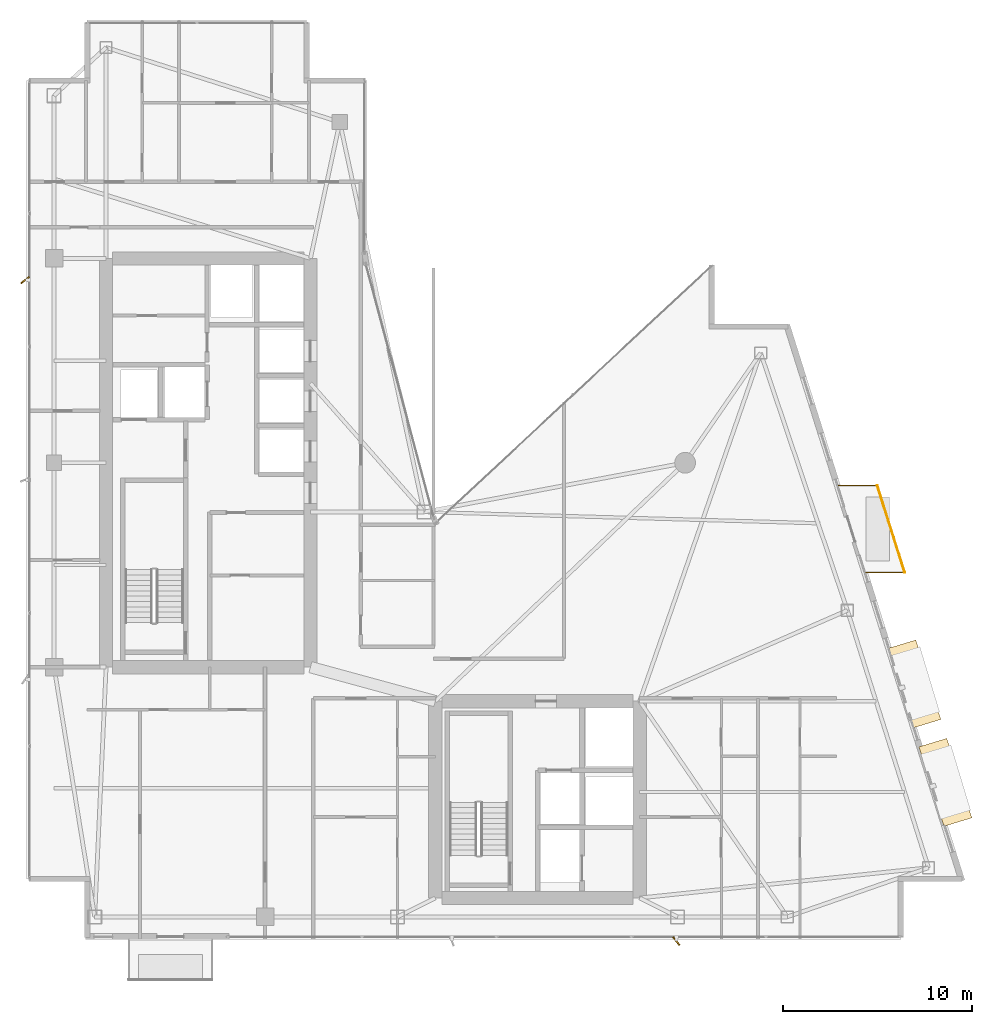
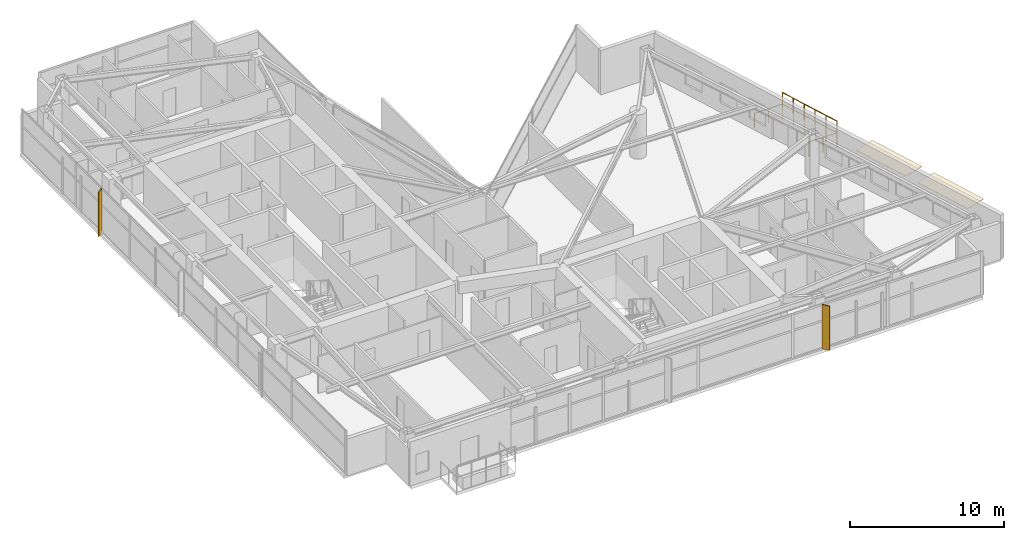
# One storey, part 27 of 27: 2 coverings, 2 railings, 2 shading devices.
"""IFC4 building model written with IfcOpenShell, lengths in metres."""

from ifc_helpers import new_model, si_unit, direction, frame, origin, origin_2d, place, context, subcontext, project, spatial, polyline, rectangle, circle, outline, extrude, material, layer, layer_set, type_object, element, save


model = new_model("IFC4")

# Units and contexts
model_context = context("Model", 3, precision=1e-05, world=origin(), true_north=direction((0.0, 1.0)))
body_context = subcontext(model_context, "Body", "Model", "MODEL_VIEW")
ifc_project = project(units=[si_unit("LENGTHUNIT", "METRE"), si_unit("AREAUNIT", "SQUARE_METRE"), si_unit("VOLUMEUNIT", "CUBIC_METRE"), si_unit("PLANEANGLEUNIT", "RADIAN"), si_unit("MASSUNIT", "GRAM", prefix="KILO")], contexts=[model_context])

# Site, building, storey
site_placement = place(None, origin())
site = spatial("IfcSite", under=ifc_project, at=site_placement, CompositionType="ELEMENT")
building_placement = place(site_placement, origin())
building = spatial("IfcBuilding", under=site, at=building_placement, Name="Calvorn Quay Hotel", CompositionType="ELEMENT")
storey_placement = place(building_placement, frame((0.0, 0.0, 230.699951171875)))
storey = spatial("IfcBuildingStorey", under=building, at=storey_placement, Name="L57", CompositionType="ELEMENT", Elevation=230.699951171875)

# Coverings
ifc_material_1 = material(Name="Pale Anodised Aluminium Rainscreen Cladding", Category="aluminium")
ifc_layer = layer(ifc_material_1, 0.044921875)
ifc_layer_set = layer_set([ifc_layer], Name="COV-CROWN-CLAD")
covering_type = type_object("IfcCoveringType", Name="COV-CROWN-CLAD", PredefinedType="CLADDING", material=ifc_layer_set)
covering_1_placement = place(storey_placement, frame((0.0, 0.0, 2.505126953125)))
element("IfcCovering", 1, at=covering_1_placement, inside=storey, type_object=covering_type, Name="Angled Bay Hood Canopy L57-HOOD-1", PredefinedType="CLADDING", context=body_context, shape_type="SweptSolid", body=[
    extrude(outline(polyline([(47.156982421875, 12.587890625), (48.6298828125, 13.034912109375), (49.952880859375, 8.8349609375), (48.47998046875, 8.387939453125), (47.156982421875, 12.587890625)])), origin(), (0.0, 0.0, 1.0), 0.044921875),
])
covering_2_placement = place(storey_placement, frame((0.0, 0.0, 2.505126953125)))
element("IfcCovering", 2, at=covering_2_placement, inside=storey, type_object=covering_type, Name="Angled Bay Hood Canopy L57-HOOD-2", PredefinedType="CLADDING", context=body_context, shape_type="SweptSolid", body=[
    extrude(outline(polyline([(45.51806640625, 17.7880859375), (46.990966796875, 18.235107421875), (48.31396484375, 14.034912109375), (46.841064453125, 13.587890625), (45.51806640625, 17.7880859375)])), origin(), (0.0, 0.0, 1.0), 0.044921875),
])

# Railings
ifc_material_2 = material(Name="Pale Anodised Aluminium and Laminated Glass", Category="aluminium")
railing_type = type_object("IfcRailingType", Name="RLG-BALUSTRADE-1200", PredefinedType="BALUSTRADE", material=ifc_material_2)
railing_1_placement = place(storey_placement, frame((44.305908203125, 21.800048828125, 0.0)))
element("IfcRailing", 3, at=railing_1_placement, inside=storey, type_object=railing_type, Name="Tree Balcony Perimeter Balustrade L57-BALC-E", PredefinedType="BALUSTRADE", context=body_context, shape_type="SweptSolid", body=[
    extrude(circle(Radius=0.02392578125, at=origin_2d()), frame((0.0, 0.0, 1.17578125), z_axis=(1.0, 0.0, 0.0), x_axis=(0.0, 1.0, 0.0)), (0.0, 0.0, 1.0), 2.10009765625),
    extrude(circle(Radius=0.02392578125, at=origin_2d()), frame((2.10009765625, 0.0, 1.17578125), z_axis=(-0.300450487966, 0.953797412599, 0.0), x_axis=(-0.953797412599, -0.300450487966, 0.0)), (0.0, 0.0, 1.0), 4.82275390625),
    extrude(circle(Radius=0.02392578125, at=origin_2d()), frame((0.651123046875, 4.599853515625, 1.17578125), z_axis=(-1.0, 0.0, 0.0), x_axis=(0.0, -1.0, 0.0)), (0.0, 0.0, 1.0), 2.10009765625),
    extrude(circle(Radius=0.02099609375, at=origin_2d()), origin(), (0.0, 0.0, 1.0), 1.15185546875),
    extrude(circle(Radius=0.02099609375, at=origin_2d()), frame((1.050048828125, 0.0, 0.0)), (0.0, 0.0, 1.0), 1.15185546875),
    extrude(circle(Radius=0.02099609375, at=origin_2d()), frame((2.10009765625, 0.0, 0.0)), (0.0, 0.0, 1.0), 1.15185546875),
    extrude(circle(Radius=0.02099609375, at=origin_2d()), frame((1.810302734375, 0.919921875, 0.0)), (0.0, 0.0, 1.0), 1.15185546875),
    extrude(circle(Radius=0.02099609375, at=origin_2d()), frame((1.5205078125, 1.83984375, 0.0)), (0.0, 0.0, 1.0), 1.15185546875),
    extrude(circle(Radius=0.02099609375, at=origin_2d()), frame((1.230712890625, 2.760009765625, 0.0)), (0.0, 0.0, 1.0), 1.15185546875),
    extrude(circle(Radius=0.02099609375, at=origin_2d()), frame((0.94091796875, 3.679931640625, 0.0)), (0.0, 0.0, 1.0), 1.15185546875),
    extrude(circle(Radius=0.02099609375, at=origin_2d()), frame((0.651123046875, 4.599853515625, 0.0)), (0.0, 0.0, 1.0), 1.15185546875),
    extrude(circle(Radius=0.02099609375, at=origin_2d()), frame((-0.39892578125, 4.599853515625, 0.0)), (0.0, 0.0, 1.0), 1.15185546875),
    extrude(circle(Radius=0.02099609375, at=origin_2d()), frame((-1.448974609375, 4.599853515625, 0.0)), (0.0, 0.0, 1.0), 1.15185546875),
])
railing_2_placement = place(storey_placement, frame((46.406005859375, 21.800048828125, 0.900146484375)))
element("IfcRailing", 4, at=railing_2_placement, inside=storey, type_object=railing_type, Name="Planter Kerb High Safety Screen L57-BALC-E", PredefinedType="BALUSTRADE", context=body_context, shape_type="SweptSolid", body=[
    extrude(circle(Radius=0.02392578125, at=origin_2d()), frame((0.0, 0.0, 1.19580078125), z_axis=(-0.300450487966, 0.953797412599, 0.0), x_axis=(-0.953797412599, -0.300450487966, 0.0)), (0.0, 0.0, 1.0), 4.82275390625),
    extrude(circle(Radius=0.02099609375, at=origin_2d()), origin(), (0.0, 0.0, 1.0), 1.171875),
    extrude(circle(Radius=0.02099609375, at=origin_2d()), frame((-0.289794921875, 0.919921875, 0.0)), (0.0, 0.0, 1.0), 1.171875),
    extrude(circle(Radius=0.02099609375, at=origin_2d()), frame((-0.57958984375, 1.83984375, 0.0)), (0.0, 0.0, 1.0), 1.171875),
    extrude(circle(Radius=0.02099609375, at=origin_2d()), frame((-0.869384765625, 2.760009765625, 0.0)), (0.0, 0.0, 1.0), 1.171875),
    extrude(circle(Radius=0.02099609375, at=origin_2d()), frame((-1.1591796875, 3.679931640625, 0.0)), (0.0, 0.0, 1.0), 1.171875),
    extrude(circle(Radius=0.02099609375, at=origin_2d()), frame((-1.448974609375, 4.599853515625, 0.0)), (0.0, 0.0, 1.0), 1.171875),
])

# Shading devices
ifc_material_3 = material(Name="Champagne Bronze Anodised Aluminium 6063-T6", Category="aluminium")
shading_device_type = type_object("IfcShadingDeviceType", Name="SHD-FIN-A2", PredefinedType="USERDEFINED", material=ifc_material_3)
for number, where, z_axis, x_axis, name in (
    (5, (-0.080078125, 37.25, 0.0), (0.0, 0.0, 1.0), (0.788010753607, 0.615661475326, 0.0), "Diagonal Sun-Shading Fin L57-W03"),
    (6, (34.3330078125, 2.320068359375, 0.0), (0.0, 0.0, 1.0), (-0.615661475326, 0.788010753607, 0.0), "Diagonal Sun-Shading Fin L57-S02"),
):
    element("IfcShadingDevice", number, at=place(storey_placement, frame(where, z_axis=z_axis, x_axis=x_axis)), inside=storey, type_object=shading_device_type, Name=name, ObjectType="FIN", PredefinedType="USERDEFINED", context=body_context, shape_type="SweptSolid", body=[
        extrude(rectangle(XDim=0.550048828125, YDim=0.080078125, at=origin_2d()), origin(), (0.0, 0.0, 1.0), 3.52001953125),
    ])

save(model, "model.ifc")
